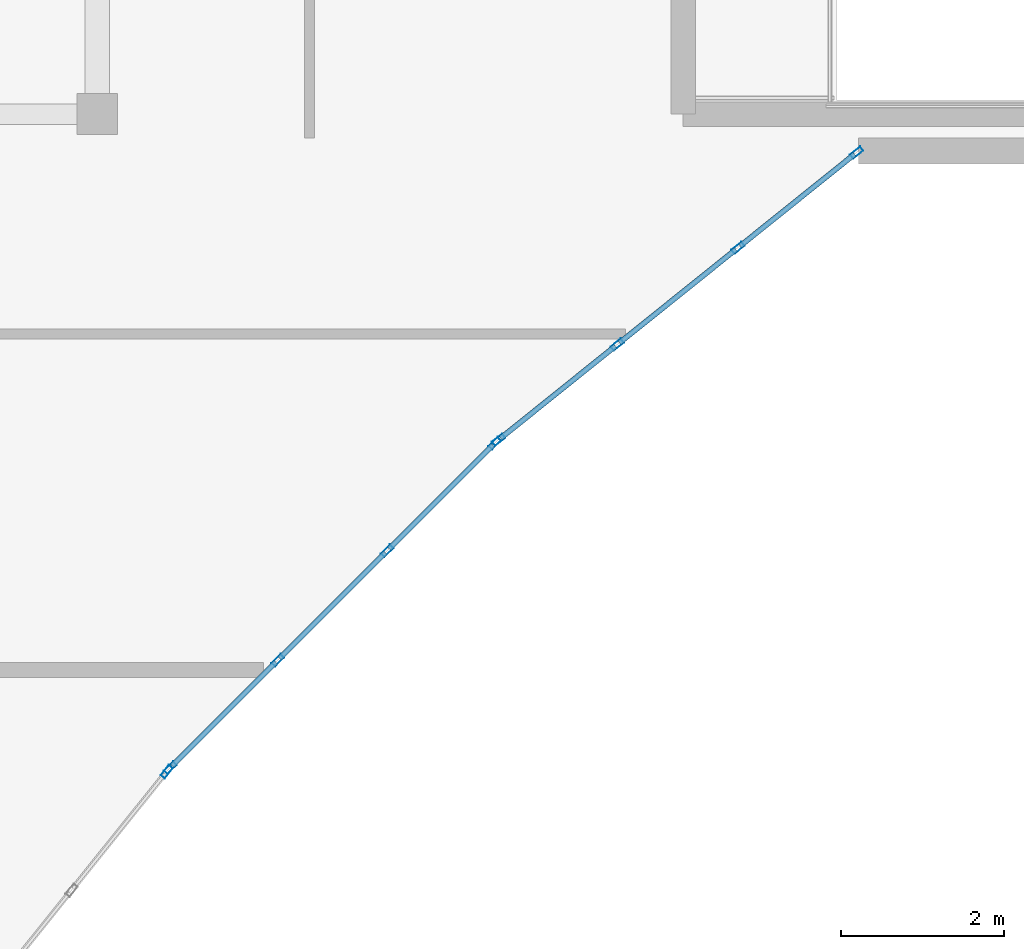
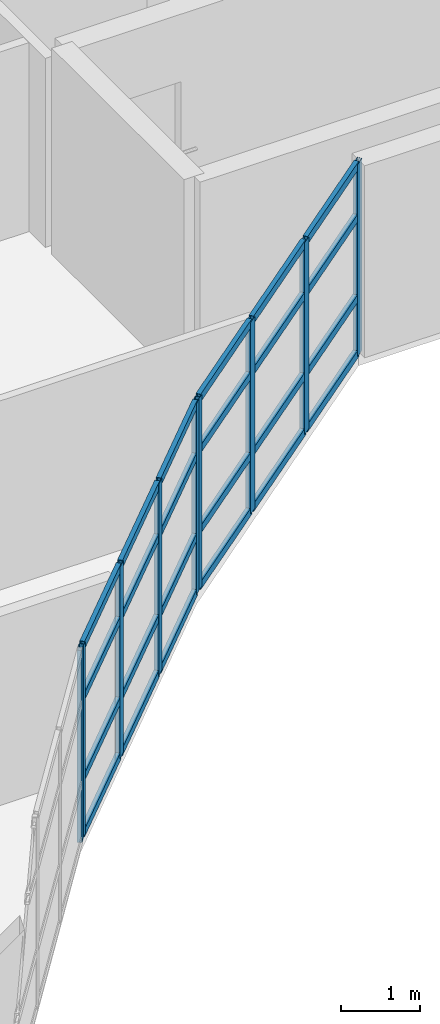
# One storey, part 5 of 30: 33 members, 3 elements without a shape of their own.
"""IFC4 building model written with IfcOpenShell, lengths in metres."""

from ifc_helpers import new_model, si_unit, direction, frame, origin, origin_2d, place, context, subcontext, project, spatial, hollow_rectangle, extrude, material, layer, layer_set, material_profile, profile_set, type_object, element, aggregate, save


model = new_model("IFC4")

# Units and contexts
model_context = context("Model", 3, precision=1e-05, world=origin(), true_north=direction((0.0, 1.0)))
body_context = subcontext(model_context, "Body", "Model", "MODEL_VIEW")
ifc_project = project(units=[si_unit("LENGTHUNIT", "METRE"), si_unit("AREAUNIT", "SQUARE_METRE"), si_unit("VOLUMEUNIT", "CUBIC_METRE"), si_unit("PLANEANGLEUNIT", "RADIAN"), si_unit("MASSUNIT", "GRAM", prefix="KILO")], contexts=[model_context])

# Site, building, storey
site_placement = place(None, origin())
site = spatial("IfcSite", under=ifc_project, at=site_placement, CompositionType="ELEMENT")
building_placement = place(site_placement, origin())
building = spatial("IfcBuilding", under=site, at=building_placement, Name="Keldmere Railside Commons", CompositionType="ELEMENT")
storey_placement = place(building_placement, frame((0.0, 0.0, 36.159912109375)))
storey = spatial("IfcBuildingStorey", under=building, at=storey_placement, Name="L11", CompositionType="ELEMENT", Elevation=36.159912109375)

# Curtain wall, member
ifc_material = material(Name="Thermally Broken Aluminium", Category="aluminium")
ifc_layer_1 = layer(ifc_material, 0.159912109375, Name="Court Chord Wintergarden CW 4800x2850")
ifc_layer_set_1 = layer_set([ifc_layer_1], Name="Thermally Broken Aluminium")
curtain_wall_type_1 = type_object("IfcCurtainWallType", Name="Court Chord Wintergarden CW 4800x2850", PredefinedType="NOTDEFINED", material=ifc_layer_set_1)
curtain_wall_1_placement = place(storey_placement, origin())
curtain_wall_1 = element("IfcCurtainWall", 1, at=curtain_wall_1_placement, inside=storey, type_object=curtain_wall_type_1, Name="CW-12 CW-L11-151", PredefinedType="NOTDEFINED")
ifc_material_profile_1 = material_profile(ifc_material, hollow_rectangle(XDim=0.06494140625, YDim=0.159912109375, WallThickness=0.00390625, at=origin_2d()), Name="ALU-MULL-65x160")
ifc_profile_set_1 = profile_set([ifc_material_profile_1], Name="Thermally Broken Aluminium")
member_type_1 = type_object("IfcMemberType", Name="Unitised Curtain Wall Mullion 65x160", PredefinedType="MULLION", material=ifc_profile_set_1)
member_1_placement = place(storey_placement, frame((123.53369140625, 92.404541015625, 0.0), z_axis=(0.0, 0.0, 1.0), x_axis=(0.780009172323, -0.625768080915, 0.0)))
member_1 = element("IfcMember", 2, at=member_1_placement, type_object=member_type_1, Name="CW-12 mullion 1", PredefinedType="MULLION", context=body_context, shape_type="SweptSolid", body=[
    extrude(hollow_rectangle(XDim=0.06494140625, YDim=0.159912109375, WallThickness=0.00390625, at=origin_2d()), origin(), (0.0, 0.0, 1.0), 2.97998046875),
])
aggregate(curtain_wall_1, [member_1])

# Curtain wall, members
ifc_layer_2 = layer(ifc_material, 0.159912109375, Name="Court Chord Wintergarden CW 5400x2850")
ifc_layer_set_2 = layer_set([ifc_layer_2], Name="Thermally Broken Aluminium")
curtain_wall_type_2 = type_object("IfcCurtainWallType", Name="Court Chord Wintergarden CW 5400x2850", PredefinedType="NOTDEFINED", material=ifc_layer_set_2)
curtain_wall_2_placement = place(storey_placement, origin())
curtain_wall_2 = element("IfcCurtainWall", 3, at=curtain_wall_2_placement, inside=storey, type_object=curtain_wall_type_2, Name="CW-13 CW-L11-152", PredefinedType="NOTDEFINED")
member_2_placement = place(storey_placement, frame((127.547119140625, 96.423095703125, 0.0), z_axis=(0.0, 0.0, 1.0), x_axis=(0.707106781187, -0.707106781187, 0.0)))
member_2 = element("IfcMember", 4, at=member_2_placement, type_object=member_type_1, Name="CW-13 mullion 1", PredefinedType="MULLION", context=body_context, shape_type="SweptSolid", body=[
    extrude(hollow_rectangle(XDim=0.06494140625, YDim=0.159912109375, WallThickness=0.00390625, at=origin_2d()), origin(), (0.0, 0.0, 1.0), 2.97998046875),
])
member_3_placement = place(storey_placement, frame((126.2314453125, 95.107421875, 0.0), z_axis=(0.0, 0.0, 1.0), x_axis=(0.707106781187, -0.707106781187, 0.0)))
member_3 = element("IfcMember", 5, at=member_3_placement, type_object=member_type_1, Name="CW-13 mullion 2", PredefinedType="MULLION", context=body_context, shape_type="SweptSolid", body=[
    extrude(hollow_rectangle(XDim=0.06494140625, YDim=0.159912109375, WallThickness=0.00390625, at=origin_2d()), origin(), (0.0, 0.0, 1.0), 2.97998046875),
])
member_4_placement = place(storey_placement, frame((124.892578125, 93.7685546875, 0.0), z_axis=(0.0, 0.0, 1.0), x_axis=(0.707106781187, -0.707106781187, 0.0)))
member_4 = element("IfcMember", 6, at=member_4_placement, type_object=member_type_1, Name="CW-13 mullion 3", PredefinedType="MULLION", context=body_context, shape_type="SweptSolid", body=[
    extrude(hollow_rectangle(XDim=0.06494140625, YDim=0.159912109375, WallThickness=0.00390625, at=origin_2d()), origin(), (0.0, 0.0, 1.0), 2.97998046875),
])
member_5_placement = place(storey_placement, frame((123.576904296875, 92.452880859375, 0.0), z_axis=(0.0, 0.0, 1.0), x_axis=(0.707106781187, -0.707106781187, 0.0)))
member_5 = element("IfcMember", 7, at=member_5_placement, type_object=member_type_1, Name="CW-13 mullion 4", PredefinedType="MULLION", context=body_context, shape_type="SweptSolid", body=[
    extrude(hollow_rectangle(XDim=0.06494140625, YDim=0.159912109375, WallThickness=0.00390625, at=origin_2d()), origin(), (0.0, 0.0, 1.0), 2.97998046875),
])

curtain_wall_3_placement = place(storey_placement, origin())
curtain_wall_3 = element("IfcCurtainWall", 8, at=curtain_wall_3_placement, inside=storey, type_object=curtain_wall_type_1, Name="CW-12 CW-L11-153", PredefinedType="NOTDEFINED")
member_6_placement = place(storey_placement, frame((131.974609375, 99.979736328125, 0.0), z_axis=(0.0, 0.0, 1.0), x_axis=(0.625768080915, -0.780009172323, 0.0)))
member_6 = element("IfcMember", 9, at=member_6_placement, type_object=member_type_1, Name="CW-12 mullion 1", PredefinedType="MULLION", context=body_context, shape_type="SweptSolid", body=[
    extrude(hollow_rectangle(XDim=0.06494140625, YDim=0.159912109375, WallThickness=0.00390625, at=origin_2d()), origin(), (0.0, 0.0, 1.0), 2.97998046875),
])
member_7_placement = place(storey_placement, frame((130.5234375, 98.8154296875, 0.0), z_axis=(0.0, 0.0, 1.0), x_axis=(0.625768080915, -0.780009172323, 0.0)))
member_7 = element("IfcMember", 10, at=member_7_placement, type_object=member_type_1, Name="CW-12 mullion 2", PredefinedType="MULLION", context=body_context, shape_type="SweptSolid", body=[
    extrude(hollow_rectangle(XDim=0.06494140625, YDim=0.159912109375, WallThickness=0.00390625, at=origin_2d()), origin(), (0.0, 0.0, 1.0), 2.97998046875),
])
member_8_placement = place(storey_placement, frame((129.046630859375, 97.630615234375, 0.0), z_axis=(0.0, 0.0, 1.0), x_axis=(0.625768080915, -0.780009172323, 0.0)))
member_8 = element("IfcMember", 11, at=member_8_placement, type_object=member_type_1, Name="CW-12 mullion 3", PredefinedType="MULLION", context=body_context, shape_type="SweptSolid", body=[
    extrude(hollow_rectangle(XDim=0.06494140625, YDim=0.159912109375, WallThickness=0.00390625, at=origin_2d()), origin(), (0.0, 0.0, 1.0), 2.97998046875),
])
member_9_placement = place(storey_placement, frame((127.595458984375, 96.46630859375, 0.0), z_axis=(0.0, 0.0, 1.0), x_axis=(0.625768080915, -0.780009172323, 0.0)))
member_9 = element("IfcMember", 12, at=member_9_placement, type_object=member_type_1, Name="CW-12 mullion 4", PredefinedType="MULLION", context=body_context, shape_type="SweptSolid", body=[
    extrude(hollow_rectangle(XDim=0.06494140625, YDim=0.159912109375, WallThickness=0.00390625, at=origin_2d()), origin(), (0.0, 0.0, 1.0), 2.97998046875),
])

# Member
ifc_material_profile_2 = material_profile(ifc_material, hollow_rectangle(XDim=0.06494140625, YDim=0.1201171875, WallThickness=0.00390625, at=origin_2d()), Name="ALU-TRAN-65x120")
ifc_profile_set_2 = profile_set([ifc_material_profile_2], Name="Thermally Broken Aluminium")
member_type_2 = type_object("IfcMemberType", Name="Unitised Curtain Wall Transom 65x120", PredefinedType="USERDEFINED", material=ifc_profile_set_2)
member_10_placement = place(storey_placement, frame((127.52392578125, 96.400146484375, 0.032470703125), z_axis=(-0.707038793419, -0.707174762418, 0.0), x_axis=(0.707174762418, -0.707038793419, 0.0)))
member_10 = element("IfcMember", 13, at=member_10_placement, type_object=member_type_2, Name="CW-13 transom 1.1", ObjectType="TRANSOM", PredefinedType="USERDEFINED", context=body_context, shape_type="SweptSolid", body=[
    extrude(hollow_rectangle(XDim=0.06494140625, YDim=0.1201171875, WallThickness=0.00390625, at=origin_2d()), origin(), (0.0, 0.0, 1.0), 1.795654296875),
])

member_11_placement = place(storey_placement, frame((127.52392578125, 96.400146484375, 0.900146484375), z_axis=(-0.707038793419, -0.707174762418, 0.0), x_axis=(0.707174762418, -0.707038793419, 0.0)))
member_11 = element("IfcMember", 14, at=member_11_placement, type_object=member_type_2, Name="CW-13 transom 1.2", ObjectType="TRANSOM", PredefinedType="USERDEFINED", context=body_context, shape_type="SweptSolid", body=[
    extrude(hollow_rectangle(XDim=0.06494140625, YDim=0.1201171875, WallThickness=0.00390625, at=origin_2d()), origin(), (0.0, 0.0, 1.0), 1.795654296875),
])

member_12_placement = place(storey_placement, frame((127.52392578125, 96.400146484375, 2.150146484375), z_axis=(-0.707038793419, -0.707174762418, 0.0), x_axis=(0.707174762418, -0.707038793419, 0.0)))
member_12 = element("IfcMember", 15, at=member_12_placement, type_object=member_type_2, Name="CW-13 transom 1.3", ObjectType="TRANSOM", PredefinedType="USERDEFINED", context=body_context, shape_type="SweptSolid", body=[
    extrude(hollow_rectangle(XDim=0.06494140625, YDim=0.1201171875, WallThickness=0.00390625, at=origin_2d()), origin(), (0.0, 0.0, 1.0), 1.795654296875),
])

member_13_placement = place(storey_placement, frame((127.52392578125, 96.400146484375, 2.947509765625), z_axis=(-0.707038793419, -0.707174762418, 0.0), x_axis=(0.707174762418, -0.707038793419, 0.0)))
member_13 = element("IfcMember", 16, at=member_13_placement, type_object=member_type_2, Name="CW-13 transom 1.4", ObjectType="TRANSOM", PredefinedType="USERDEFINED", context=body_context, shape_type="SweptSolid", body=[
    extrude(hollow_rectangle(XDim=0.06494140625, YDim=0.1201171875, WallThickness=0.00390625, at=origin_2d()), origin(), (0.0, 0.0, 1.0), 1.795654296875),
])

member_14_placement = place(storey_placement, frame((126.208251953125, 95.08447265625, 0.032470703125), z_axis=(-0.707106781187, -0.707106781187, 0.0), x_axis=(0.707106781187, -0.707106781187, 0.0)))
member_14 = element("IfcMember", 17, at=member_14_placement, type_object=member_type_2, Name="CW-13 transom 2.1", ObjectType="TRANSOM", PredefinedType="USERDEFINED", context=body_context, shape_type="SweptSolid", body=[
    extrude(hollow_rectangle(XDim=0.06494140625, YDim=0.1201171875, WallThickness=0.00390625, at=origin_2d()), origin(), (0.0, 0.0, 1.0), 1.828125),
])

member_15_placement = place(storey_placement, frame((126.208251953125, 95.08447265625, 0.900146484375), z_axis=(-0.707106781187, -0.707106781187, 0.0), x_axis=(0.707106781187, -0.707106781187, 0.0)))
member_15 = element("IfcMember", 18, at=member_15_placement, type_object=member_type_2, Name="CW-13 transom 2.2", ObjectType="TRANSOM", PredefinedType="USERDEFINED", context=body_context, shape_type="SweptSolid", body=[
    extrude(hollow_rectangle(XDim=0.06494140625, YDim=0.1201171875, WallThickness=0.00390625, at=origin_2d()), origin(), (0.0, 0.0, 1.0), 1.828125),
])

member_16_placement = place(storey_placement, frame((126.208251953125, 95.08447265625, 2.150146484375), z_axis=(-0.707106781187, -0.707106781187, 0.0), x_axis=(0.707106781187, -0.707106781187, 0.0)))
member_16 = element("IfcMember", 19, at=member_16_placement, type_object=member_type_2, Name="CW-13 transom 2.3", ObjectType="TRANSOM", PredefinedType="USERDEFINED", context=body_context, shape_type="SweptSolid", body=[
    extrude(hollow_rectangle(XDim=0.06494140625, YDim=0.1201171875, WallThickness=0.00390625, at=origin_2d()), origin(), (0.0, 0.0, 1.0), 1.828125),
])

member_17_placement = place(storey_placement, frame((126.208251953125, 95.08447265625, 2.947509765625), z_axis=(-0.707106781187, -0.707106781187, 0.0), x_axis=(0.707106781187, -0.707106781187, 0.0)))
member_17 = element("IfcMember", 20, at=member_17_placement, type_object=member_type_2, Name="CW-13 transom 2.4", ObjectType="TRANSOM", PredefinedType="USERDEFINED", context=body_context, shape_type="SweptSolid", body=[
    extrude(hollow_rectangle(XDim=0.06494140625, YDim=0.1201171875, WallThickness=0.00390625, at=origin_2d()), origin(), (0.0, 0.0, 1.0), 1.828125),
])

member_18_placement = place(storey_placement, frame((124.86962890625, 93.74560546875, 0.032470703125), z_axis=(-0.707174762418, -0.707038793419, 0.0), x_axis=(0.707038793419, -0.707174762418, 0.0)))
member_18 = element("IfcMember", 21, at=member_18_placement, type_object=member_type_2, Name="CW-13 transom 3.1", ObjectType="TRANSOM", PredefinedType="USERDEFINED", context=body_context, shape_type="SweptSolid", body=[
    extrude(hollow_rectangle(XDim=0.06494140625, YDim=0.1201171875, WallThickness=0.00390625, at=origin_2d()), origin(), (0.0, 0.0, 1.0), 1.795654296875),
])

member_19_placement = place(storey_placement, frame((124.86962890625, 93.74560546875, 0.900146484375), z_axis=(-0.707174762418, -0.707038793419, 0.0), x_axis=(0.707038793419, -0.707174762418, 0.0)))
member_19 = element("IfcMember", 22, at=member_19_placement, type_object=member_type_2, Name="CW-13 transom 3.2", ObjectType="TRANSOM", PredefinedType="USERDEFINED", context=body_context, shape_type="SweptSolid", body=[
    extrude(hollow_rectangle(XDim=0.06494140625, YDim=0.1201171875, WallThickness=0.00390625, at=origin_2d()), origin(), (0.0, 0.0, 1.0), 1.795654296875),
])

member_20_placement = place(storey_placement, frame((124.86962890625, 93.74560546875, 2.150146484375), z_axis=(-0.707174762418, -0.707038793419, 0.0), x_axis=(0.707038793419, -0.707174762418, 0.0)))
member_20 = element("IfcMember", 23, at=member_20_placement, type_object=member_type_2, Name="CW-13 transom 3.3", ObjectType="TRANSOM", PredefinedType="USERDEFINED", context=body_context, shape_type="SweptSolid", body=[
    extrude(hollow_rectangle(XDim=0.06494140625, YDim=0.1201171875, WallThickness=0.00390625, at=origin_2d()), origin(), (0.0, 0.0, 1.0), 1.795654296875),
])

member_21_placement = place(storey_placement, frame((124.86962890625, 93.74560546875, 2.947509765625), z_axis=(-0.707174762418, -0.707038793419, 0.0), x_axis=(0.707038793419, -0.707174762418, 0.0)))
member_21 = element("IfcMember", 24, at=member_21_placement, type_object=member_type_2, Name="CW-13 transom 3.4", ObjectType="TRANSOM", PredefinedType="USERDEFINED", context=body_context, shape_type="SweptSolid", body=[
    extrude(hollow_rectangle(XDim=0.06494140625, YDim=0.1201171875, WallThickness=0.00390625, at=origin_2d()), origin(), (0.0, 0.0, 1.0), 1.795654296875),
])

aggregate(curtain_wall_2, [member_2, member_3, member_4, member_5, member_10, member_11, member_12, member_13, member_14, member_15, member_16, member_17, member_18, member_19, member_20, member_21])

member_22_placement = place(storey_placement, frame((131.94921875, 99.959228515625, 0.032470703125), z_axis=(-0.780045694992, -0.625722553313, 0.0), x_axis=(0.625722553313, -0.780045694992, 0.0)))
member_22 = element("IfcMember", 25, at=member_22_placement, type_object=member_type_2, Name="CW-12 transom 1.1", ObjectType="TRANSOM", PredefinedType="USERDEFINED", context=body_context, shape_type="SweptSolid", body=[
    extrude(hollow_rectangle(XDim=0.06494140625, YDim=0.1201171875, WallThickness=0.00390625, at=origin_2d()), origin(), (0.0, 0.0, 1.0), 1.795654296875),
])

member_23_placement = place(storey_placement, frame((131.94921875, 99.959228515625, 0.900146484375), z_axis=(-0.780045694992, -0.625722553313, 0.0), x_axis=(0.625722553313, -0.780045694992, 0.0)))
member_23 = element("IfcMember", 26, at=member_23_placement, type_object=member_type_2, Name="CW-12 transom 1.2", ObjectType="TRANSOM", PredefinedType="USERDEFINED", context=body_context, shape_type="SweptSolid", body=[
    extrude(hollow_rectangle(XDim=0.06494140625, YDim=0.1201171875, WallThickness=0.00390625, at=origin_2d()), origin(), (0.0, 0.0, 1.0), 1.795654296875),
])

member_24_placement = place(storey_placement, frame((131.94921875, 99.959228515625, 2.150146484375), z_axis=(-0.780045694992, -0.625722553313, 0.0), x_axis=(0.625722553313, -0.780045694992, 0.0)))
member_24 = element("IfcMember", 27, at=member_24_placement, type_object=member_type_2, Name="CW-12 transom 1.3", ObjectType="TRANSOM", PredefinedType="USERDEFINED", context=body_context, shape_type="SweptSolid", body=[
    extrude(hollow_rectangle(XDim=0.06494140625, YDim=0.1201171875, WallThickness=0.00390625, at=origin_2d()), origin(), (0.0, 0.0, 1.0), 1.795654296875),
])

member_25_placement = place(storey_placement, frame((131.94921875, 99.959228515625, 2.947509765625), z_axis=(-0.780045694992, -0.625722553313, 0.0), x_axis=(0.625722553313, -0.780045694992, 0.0)))
member_25 = element("IfcMember", 28, at=member_25_placement, type_object=member_type_2, Name="CW-12 transom 1.4", ObjectType="TRANSOM", PredefinedType="USERDEFINED", context=body_context, shape_type="SweptSolid", body=[
    extrude(hollow_rectangle(XDim=0.06494140625, YDim=0.1201171875, WallThickness=0.00390625, at=origin_2d()), origin(), (0.0, 0.0, 1.0), 1.795654296875),
])

member_26_placement = place(storey_placement, frame((130.498046875, 98.794921875, 0.032470703125), z_axis=(-0.78007338409, -0.625688033635, 0.0), x_axis=(0.625688033635, -0.78007338409, 0.0)))
member_26 = element("IfcMember", 29, at=member_26_placement, type_object=member_type_2, Name="CW-12 transom 2.1", ObjectType="TRANSOM", PredefinedType="USERDEFINED", context=body_context, shape_type="SweptSolid", body=[
    extrude(hollow_rectangle(XDim=0.06494140625, YDim=0.1201171875, WallThickness=0.00390625, at=origin_2d()), origin(), (0.0, 0.0, 1.0), 1.828125),
])

member_27_placement = place(storey_placement, frame((130.498046875, 98.794921875, 0.900146484375), z_axis=(-0.78007338409, -0.625688033635, 0.0), x_axis=(0.625688033635, -0.78007338409, 0.0)))
member_27 = element("IfcMember", 30, at=member_27_placement, type_object=member_type_2, Name="CW-12 transom 2.2", ObjectType="TRANSOM", PredefinedType="USERDEFINED", context=body_context, shape_type="SweptSolid", body=[
    extrude(hollow_rectangle(XDim=0.06494140625, YDim=0.1201171875, WallThickness=0.00390625, at=origin_2d()), origin(), (0.0, 0.0, 1.0), 1.828125),
])

member_28_placement = place(storey_placement, frame((130.498046875, 98.794921875, 2.150146484375), z_axis=(-0.78007338409, -0.625688033635, 0.0), x_axis=(0.625688033635, -0.78007338409, 0.0)))
member_28 = element("IfcMember", 31, at=member_28_placement, type_object=member_type_2, Name="CW-12 transom 2.3", ObjectType="TRANSOM", PredefinedType="USERDEFINED", context=body_context, shape_type="SweptSolid", body=[
    extrude(hollow_rectangle(XDim=0.06494140625, YDim=0.1201171875, WallThickness=0.00390625, at=origin_2d()), origin(), (0.0, 0.0, 1.0), 1.828125),
])

member_29_placement = place(storey_placement, frame((130.498046875, 98.794921875, 2.947509765625), z_axis=(-0.78007338409, -0.625688033635, 0.0), x_axis=(0.625688033635, -0.78007338409, 0.0)))
member_29 = element("IfcMember", 32, at=member_29_placement, type_object=member_type_2, Name="CW-12 transom 2.4", ObjectType="TRANSOM", PredefinedType="USERDEFINED", context=body_context, shape_type="SweptSolid", body=[
    extrude(hollow_rectangle(XDim=0.06494140625, YDim=0.1201171875, WallThickness=0.00390625, at=origin_2d()), origin(), (0.0, 0.0, 1.0), 1.828125),
])

member_30_placement = place(storey_placement, frame((129.021240234375, 97.6103515625, 0.032470703125), z_axis=(-0.779979331565, -0.625805275091, 0.0), x_axis=(0.625805275091, -0.779979331565, 0.0)))
member_30 = element("IfcMember", 33, at=member_30_placement, type_object=member_type_2, Name="CW-12 transom 3.1", ObjectType="TRANSOM", PredefinedType="USERDEFINED", context=body_context, shape_type="SweptSolid", body=[
    extrude(hollow_rectangle(XDim=0.06494140625, YDim=0.1201171875, WallThickness=0.00390625, at=origin_2d()), origin(), (0.0, 0.0, 1.0), 1.795654296875),
])

member_31_placement = place(storey_placement, frame((129.021240234375, 97.6103515625, 0.900146484375), z_axis=(-0.779979331565, -0.625805275091, 0.0), x_axis=(0.625805275091, -0.779979331565, 0.0)))
member_31 = element("IfcMember", 34, at=member_31_placement, type_object=member_type_2, Name="CW-12 transom 3.2", ObjectType="TRANSOM", PredefinedType="USERDEFINED", context=body_context, shape_type="SweptSolid", body=[
    extrude(hollow_rectangle(XDim=0.06494140625, YDim=0.1201171875, WallThickness=0.00390625, at=origin_2d()), origin(), (0.0, 0.0, 1.0), 1.795654296875),
])

member_32_placement = place(storey_placement, frame((129.021240234375, 97.6103515625, 2.150146484375), z_axis=(-0.779979331565, -0.625805275091, 0.0), x_axis=(0.625805275091, -0.779979331565, 0.0)))
member_32 = element("IfcMember", 35, at=member_32_placement, type_object=member_type_2, Name="CW-12 transom 3.3", ObjectType="TRANSOM", PredefinedType="USERDEFINED", context=body_context, shape_type="SweptSolid", body=[
    extrude(hollow_rectangle(XDim=0.06494140625, YDim=0.1201171875, WallThickness=0.00390625, at=origin_2d()), origin(), (0.0, 0.0, 1.0), 1.795654296875),
])

member_33_placement = place(storey_placement, frame((129.021240234375, 97.6103515625, 2.947509765625), z_axis=(-0.779979331565, -0.625805275091, 0.0), x_axis=(0.625805275091, -0.779979331565, 0.0)))
member_33 = element("IfcMember", 36, at=member_33_placement, type_object=member_type_2, Name="CW-12 transom 3.4", ObjectType="TRANSOM", PredefinedType="USERDEFINED", context=body_context, shape_type="SweptSolid", body=[
    extrude(hollow_rectangle(XDim=0.06494140625, YDim=0.1201171875, WallThickness=0.00390625, at=origin_2d()), origin(), (0.0, 0.0, 1.0), 1.795654296875),
])

aggregate(curtain_wall_3, [member_6, member_7, member_8, member_9, member_22, member_23, member_24, member_25, member_26, member_27, member_28, member_29, member_30, member_31, member_32, member_33])

save(model, "model.ifc")
